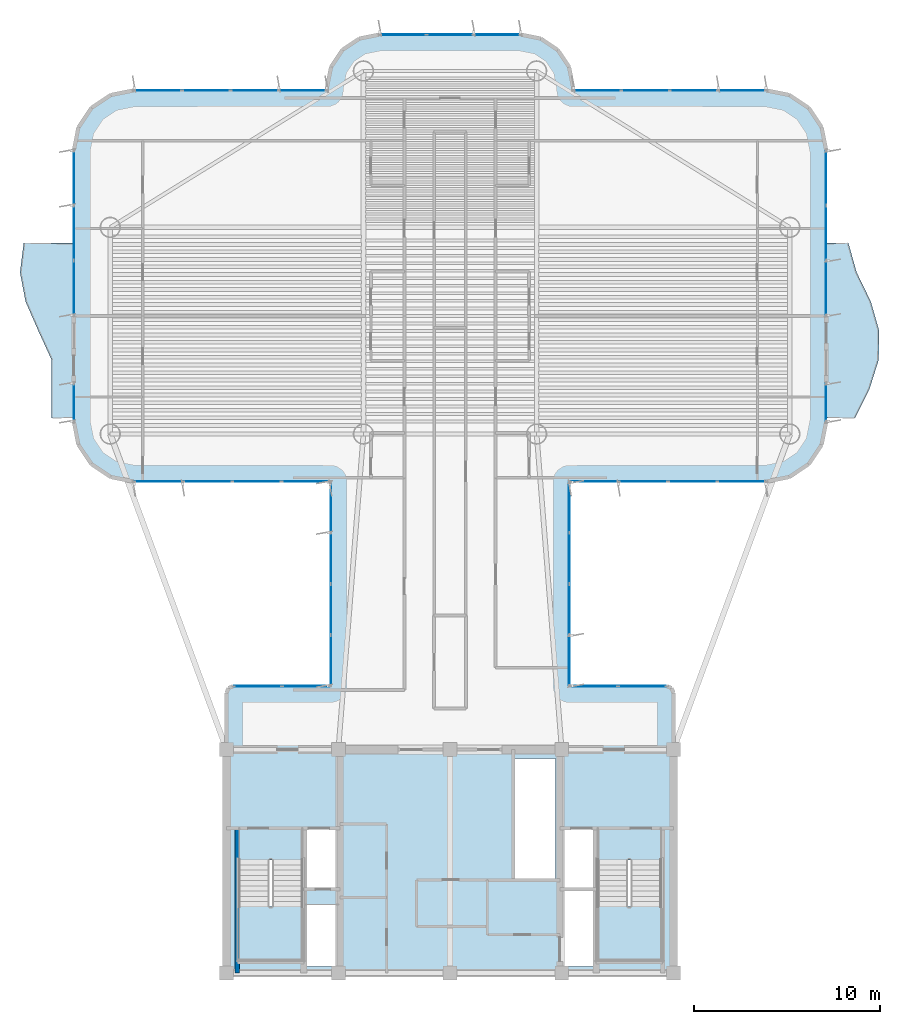
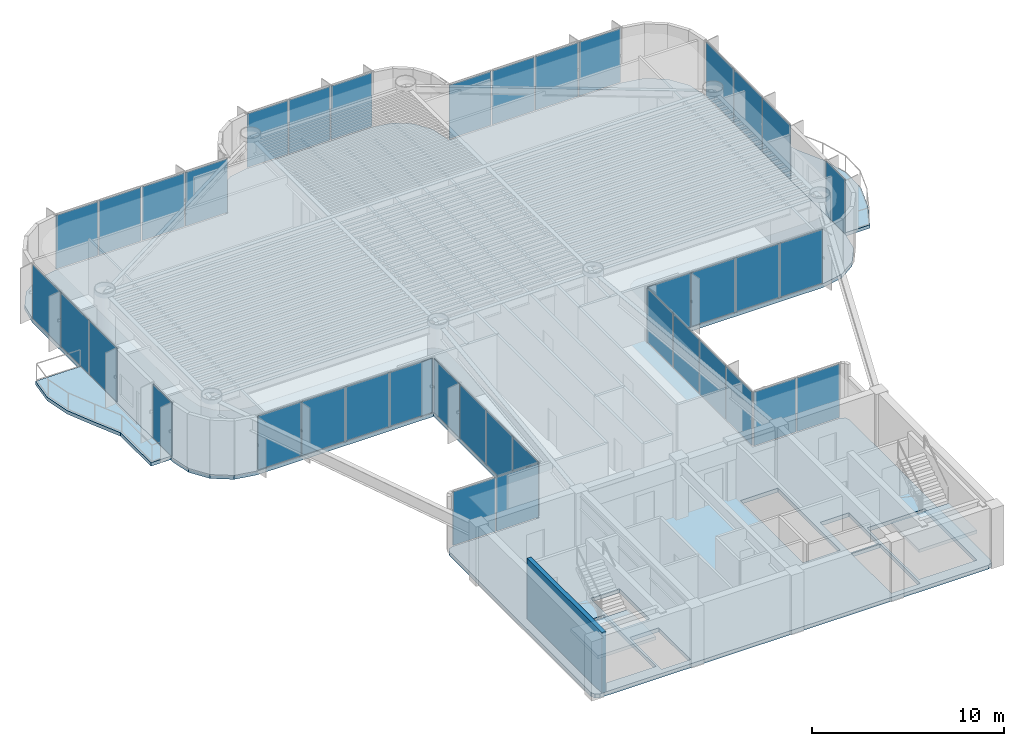
# One storey, part 8 of 15: 39 plates, 5 slabs, 1 wall, 15 elements without a shape of their own.
"""IFC4 building model written with IfcOpenShell, lengths in metres."""

from ifc_helpers import new_model, si_unit, direction, frame, frame_2d, origin, origin_2d, place, context, subcontext, project, spatial, polyline, rectangle, outline, extrude, source, transform, mapped, material, layer, layer_set, type_object, element, aggregate, save


model = new_model("IFC4")

# Units and contexts
model_context = context("Model", 3, precision=1e-05, world=origin(), true_north=direction((0.0, 1.0)))
body_context = subcontext(model_context, "Body", "Model", "MODEL_VIEW")
ifc_project = project(units=[si_unit("LENGTHUNIT", "METRE"), si_unit("AREAUNIT", "SQUARE_METRE"), si_unit("VOLUMEUNIT", "CUBIC_METRE"), si_unit("PLANEANGLEUNIT", "RADIAN"), si_unit("MASSUNIT", "GRAM", prefix="KILO")], contexts=[model_context])

# Site, building, storey
site_placement = place(None, origin())
site = spatial("IfcSite", under=ifc_project, at=site_placement, CompositionType="ELEMENT")
building_placement = place(site_placement, origin())
building = spatial("IfcBuilding", under=site, at=building_placement, Name="Brelvock Crest Care Tower", CompositionType="ELEMENT")
storey_placement = place(building_placement, frame((0.0, 0.0, 160.199951171875)))
storey = spatial("IfcBuildingStorey", under=building, at=storey_placement, Name="L40", CompositionType="ELEMENT", Elevation=160.199951171875)

# Slabs
ifc_material_1 = material(Name="Concrete N50 (50 MPa)", Category="concrete")
ifc_layer_1 = layer(ifc_material_1, 0.25, Name="SLB-FL3")
ifc_layer_set_1 = layer_set([ifc_layer_1], Name="Concrete N50 (50 MPa)")
slab_type_1 = type_object("IfcSlabType", Name="SLB-FL3", PredefinedType="FLOOR", material=ifc_layer_set_1)
slab_1_placement = place(storey_placement, frame((0.0, 0.0, -0.25)))
element("IfcSlab", 1, at=slab_1_placement, inside=storey, type_object=slab_type_1, Name="L40 Main Structural Slab", PredefinedType="FLOOR", context=body_context, shape_type="SweptSolid", body=[
    extrude(outline(polyline([(47.64990234375, 21.39990234375), (42.39990234375, 21.39990234375), (42.39990234375, 32.39990234375), (53.0, 32.39990234375), (54.224609375, 32.6435546875), (55.2626953125, 33.33740234375), (55.956298828125, 34.37548828125), (56.199951171875, 35.60009765625), (56.199951171875, 50.199951171875), (55.956298828125, 51.424560546875), (55.2626953125, 52.462646484375), (54.224609375, 53.156494140625), (53.0, 53.39990234375), (42.60009765625, 53.39990234375), (42.60009765625, 53.60009765625), (42.386962890625, 54.67138671875), (41.77978515625, 55.579833984375), (40.87158203125, 56.18701171875), (39.800048828125, 56.39990234375), (32.199951171875, 56.39990234375), (31.12841796875, 56.18701171875), (30.22021484375, 55.579833984375), (29.613037109375, 54.67138671875), (29.39990234375, 53.60009765625), (29.39990234375, 53.39990234375), (19.0, 53.39990234375), (17.775390625, 53.156494140625), (16.7373046875, 52.462646484375), (16.043701171875, 51.424560546875), (15.800048828125, 50.199951171875), (15.800048828125, 35.60009765625), (16.043701171875, 34.37548828125), (16.7373046875, 33.33740234375), (17.775390625, 32.6435546875), (19.0, 32.39990234375), (29.60009765625, 32.39990234375), (29.60009765625, 21.39990234375), (24.35009765625, 21.39990234375), (24.1025390625, 21.297607421875), (24.0, 21.050048828125), (24.0, 6.35009765625), (24.1025390625, 6.1025390625), (24.35009765625, 6.0), (47.64990234375, 6.0), (47.8974609375, 6.1025390625), (48.0, 6.35009765625), (48.0, 21.050048828125), (47.8974609375, 21.297607421875), (47.64990234375, 21.39990234375)]), holes=[polyline([(28.239990234375, 10.580078125), (29.97998046875, 10.580078125), (29.97998046875, 13.739990234375), (28.239990234375, 13.739990234375), (28.239990234375, 10.580078125)]), polyline([(42.02001953125, 10.580078125), (43.760009765625, 10.580078125), (43.760009765625, 13.739990234375), (42.02001953125, 13.739990234375), (42.02001953125, 10.580078125)]), polyline([(28.239990234375, 6.340087890625), (29.97998046875, 6.340087890625), (29.97998046875, 9.64990234375), (28.239990234375, 9.64990234375), (28.239990234375, 6.340087890625)]), polyline([(24.6298828125, 12.080078125), (24.6298828125, 6.699951171875), (28.110107421875, 6.699951171875), (28.110107421875, 12.080078125), (24.6298828125, 12.080078125)]), polyline([(43.889892578125, 12.080078125), (43.889892578125, 6.699951171875), (47.3701171875, 6.699951171875), (47.3701171875, 12.080078125), (43.889892578125, 12.080078125)]), polyline([(42.02001953125, 6.340087890625), (43.760009765625, 6.340087890625), (43.760009765625, 10.5), (42.02001953125, 10.5), (42.02001953125, 6.340087890625)]), polyline([(39.429931640625, 11.030029296875), (41.669921875, 11.030029296875), (41.669921875, 17.52001953125), (39.429931640625, 17.52001953125), (39.429931640625, 11.030029296875)])]), origin(), (0.0, 0.0, 1.0), 0.25),
])
ifc_layer_2 = layer(ifc_material_1, 0.219970703125, Name="SLB-WB1")
ifc_layer_set_2 = layer_set([ifc_layer_2], Name="Concrete N50 (50 MPa)")
slab_type_2 = type_object("IfcSlabType", Name="SLB-WB1", PredefinedType="FLOOR", material=ifc_layer_set_2)
slab_2_placement = place(storey_placement, frame((0.0, 0.0, -0.219970703125)))
element("IfcSlab", 2, at=slab_2_placement, inside=storey, type_object=slab_type_2, Name="L40 W Sinusoidal Wave Balcony Slab", PredefinedType="FLOOR", context=body_context, shape_type="SweptSolid", body=[
    extrude(outline(polyline([(15.800048828125, 45.199951171875), (13.098876953125, 45.199951171875), (12.90283203125, 43.63330078125), (13.200927734375, 42.066650390625), (13.883544921875, 40.5), (14.60009765625, 38.933349609375), (14.60009765625, 37.36669921875), (14.60009765625, 35.800048828125), (15.800048828125, 35.800048828125), (15.800048828125, 45.199951171875)])), origin(), (0.0, 0.0, 1.0), 0.219970703125),
])
slab_3_placement = place(storey_placement, frame((0.0, 0.0, -0.219970703125)))
element("IfcSlab", 3, at=slab_3_placement, inside=storey, type_object=slab_type_2, Name="L40 E Sinusoidal Wave Balcony Slab", PredefinedType="FLOOR", context=body_context, shape_type="SweptSolid", body=[
    extrude(outline(polyline([(56.199951171875, 35.800048828125), (57.75, 35.800048828125), (58.529052734375, 37.36669921875), (59.022705078125, 38.933349609375), (59.04931640625, 40.5), (58.599609375, 42.066650390625), (57.83837890625, 43.63330078125), (57.39990234375, 45.199951171875), (56.199951171875, 45.199951171875), (56.199951171875, 35.800048828125)])), origin(), (0.0, 0.0, 1.0), 0.219970703125),
])

# Stair, slab
ifc_material_2 = material(Name="Concrete N40 (40 MPa)", Category="concrete")
stair_type = type_object("IfcStairType", Name="ST-CORE1", PredefinedType="HALF_TURN_STAIR", material=ifc_material_2)
stair_1_placement = place(storey_placement, origin())
stair_1 = element("IfcStair", 4, at=stair_1_placement, inside=storey, type_object=stair_type, Name="L40 Fire-Isolated Core Stair ST-1", PredefinedType="HALF_TURN_STAIR")
ifc_layer_3 = layer(ifc_material_2, 0.199951171875, Name="STL-1")
ifc_layer_set_3 = layer_set([ifc_layer_3], Name="Concrete N40 (40 MPa)")
slab_type_3 = type_object("IfcSlabType", Name="STL-1", PredefinedType="LANDING", material=ifc_layer_set_3)
slab_4_placement = place(storey_placement, frame((0.0, 0.0, 1.68994140625)))
slab_4 = element("IfcSlab", 5, at=slab_4_placement, type_object=slab_type_3, Name="ST-1 landing 1", PredefinedType="LANDING", context=body_context, shape_type="SweptSolid", body=[
    extrude(outline(polyline([(24.6298828125, 9.56005859375), (24.6298828125, 6.699951171875), (28.110107421875, 6.699951171875), (28.110107421875, 9.56005859375), (24.6298828125, 9.56005859375)])), origin(), (0.0, 0.0, 1.0), 0.2001953125),
])
aggregate(stair_1, [slab_4])

stair_2_placement = place(storey_placement, origin())
stair_2 = element("IfcStair", 6, at=stair_2_placement, inside=storey, type_object=stair_type, Name="L40 Fire-Isolated Core Stair ST-2", PredefinedType="HALF_TURN_STAIR")
slab_5_placement = place(storey_placement, frame((0.0, 0.0, 1.68994140625)))
slab_5 = element("IfcSlab", 7, at=slab_5_placement, type_object=slab_type_3, Name="ST-2 landing 1", PredefinedType="LANDING", context=body_context, shape_type="SweptSolid", body=[
    extrude(outline(polyline([(43.889892578125, 9.56005859375), (43.889892578125, 6.699951171875), (47.3701171875, 6.699951171875), (47.3701171875, 9.56005859375), (43.889892578125, 9.56005859375)])), origin(), (0.0, 0.0, 1.0), 0.2001953125),
])
aggregate(stair_2, [slab_5])

# Curtain wall, plates
ifc_material_3 = material(Name="Dark Glass Double Glazed Low-E", Category="glass")
ifc_layer_4 = layer(ifc_material_3, 0.22509765625, Name="CWS-4")
ifc_layer_set_4 = layer_set([ifc_layer_4], Name="Dark Glass Double Glazed Low-E")
curtain_wall_type = type_object("IfcCurtainWallType", Name="CWS-4", PredefinedType="NOTDEFINED", material=ifc_layer_set_4)
curtain_wall_1_placement = place(storey_placement, origin())
curtain_wall_1 = element("IfcCurtainWall", 8, at=curtain_wall_1_placement, inside=storey, type_object=curtain_wall_type, Name="L40 Curtain Wall E10", PredefinedType="NOTDEFINED")
ifc_layer_5 = layer(ifc_material_3, 0.0380859375, Name="CWP-V2")
ifc_layer_set_5 = layer_set([ifc_layer_5], Name="Dark Glass Double Glazed Low-E")
plate_type = type_object("IfcPlateType", Name="CWP-V2", PredefinedType="CURTAIN_PANEL", material=ifc_layer_set_5)
shared_shape_1 = source(origin(), body_context, "Body", "SweptSolid", [
    extrude(rectangle(XDim=2.534912109375, YDim=0.035888671875, at=origin_2d()), origin(), (0.0, 0.0, 1.0), 3.409912109375),
])
plate_1_placement = place(storey_placement, frame((25.677490234375, 21.39990234375, 0.06005859375), z_axis=(0.0, 0.0, 1.0), x_axis=(1.0, 0.0, 0.0)))
plate_1 = element("IfcPlate", 9, at=plate_1_placement, type_object=plate_type, Name="CW-4 panel 1.1", PredefinedType="CURTAIN_PANEL", context=body_context, shape_type="MappedRepresentation", body=[
    mapped(shared_shape_1, transform((0.0, 0.0, 0.0), x_axis=(1.0, 0.0, 0.0), y_axis=(0.0, 1.0, 0.0), z_axis=(0.0, 0.0, 1.0), scale=1.0)),
])
plate_2_placement = place(storey_placement, frame((28.2724609375, 21.39990234375, 0.06005859375), z_axis=(0.0, 0.0, 1.0), x_axis=(1.0, 0.0, 0.0)))
plate_2 = element("IfcPlate", 10, at=plate_2_placement, type_object=plate_type, Name="CW-4 panel 2.1", PredefinedType="CURTAIN_PANEL", context=body_context, shape_type="MappedRepresentation", body=[
    mapped(shared_shape_1, transform((0.0, 0.0, 0.0), x_axis=(1.0, 0.0, 0.0), y_axis=(0.0, 1.0, 0.0), z_axis=(0.0, 0.0, 1.0), scale=1.0)),
])
aggregate(curtain_wall_1, [plate_1, plate_2])

curtain_wall_2_placement = place(storey_placement, origin())
curtain_wall_2 = element("IfcCurtainWall", 11, at=curtain_wall_2_placement, inside=storey, type_object=curtain_wall_type, Name="L40 Curtain Wall E46", PredefinedType="NOTDEFINED")
plate_3_placement = place(storey_placement, frame((43.7275390625, 21.39990234375, 0.06005859375), z_axis=(0.0, 0.0, 1.0), x_axis=(1.0, 0.0, 0.0)))
plate_3 = element("IfcPlate", 12, at=plate_3_placement, type_object=plate_type, Name="CW-4 panel 1.1", PredefinedType="CURTAIN_PANEL", context=body_context, shape_type="MappedRepresentation", body=[
    mapped(shared_shape_1, transform((0.0, 0.0, 0.0), x_axis=(1.0, 0.0, 0.0), y_axis=(0.0, 1.0, 0.0), z_axis=(0.0, 0.0, 1.0), scale=1.0)),
])
plate_4_placement = place(storey_placement, frame((46.322509765625, 21.39990234375, 0.06005859375), z_axis=(0.0, 0.0, 1.0), x_axis=(1.0, 0.0, 0.0)))
plate_4 = element("IfcPlate", 13, at=plate_4_placement, type_object=plate_type, Name="CW-4 panel 2.1", PredefinedType="CURTAIN_PANEL", context=body_context, shape_type="MappedRepresentation", body=[
    mapped(shared_shape_1, transform((0.0, 0.0, 0.0), x_axis=(1.0, 0.0, 0.0), y_axis=(0.0, 1.0, 0.0), z_axis=(0.0, 0.0, 1.0), scale=1.0)),
])
aggregate(curtain_wall_2, [plate_3, plate_4])

curtain_wall_3_placement = place(storey_placement, origin())
curtain_wall_3 = element("IfcCurtainWall", 14, at=curtain_wall_3_placement, inside=storey, type_object=curtain_wall_type, Name="L40 Curtain Wall E11", PredefinedType="NOTDEFINED")
shared_shape_2 = source(origin(), body_context, "Body", "SweptSolid", [
    extrude(rectangle(XDim=2.659912109375, YDim=0.035888671875, at=origin_2d()), origin(), (0.0, 0.0, 1.0), 3.409912109375),
])
plate_5_placement = place(storey_placement, frame((29.60009765625, 22.7900390625, 0.06005859375), z_axis=(0.0, 0.0, 1.0), x_axis=(0.0, 1.0, 0.0)))
plate_5 = element("IfcPlate", 15, at=plate_5_placement, type_object=plate_type, Name="CW-4 panel 1.1", PredefinedType="CURTAIN_PANEL", context=body_context, shape_type="MappedRepresentation", body=[
    mapped(shared_shape_2, transform((0.0, 0.0, 0.0), x_axis=(1.0, 0.0, 0.0), y_axis=(0.0, 1.0, 0.0), z_axis=(0.0, 0.0, 1.0), scale=1.0)),
])
plate_6_placement = place(storey_placement, frame((29.60009765625, 31.010009765625, 0.06005859375), z_axis=(0.0, 0.0, 1.0), x_axis=(0.0, 1.0, 0.0)))
plate_6 = element("IfcPlate", 16, at=plate_6_placement, type_object=plate_type, Name="CW-4 panel 4.1", PredefinedType="CURTAIN_PANEL", context=body_context, shape_type="MappedRepresentation", body=[
    mapped(shared_shape_2, transform((0.0, 0.0, 0.0), x_axis=(1.0, 0.0, 0.0), y_axis=(0.0, 1.0, 0.0), z_axis=(0.0, 0.0, 1.0), scale=1.0)),
])

curtain_wall_4_placement = place(storey_placement, origin())
curtain_wall_4 = element("IfcCurtainWall", 17, at=curtain_wall_4_placement, inside=storey, type_object=curtain_wall_type, Name="L40 Curtain Wall E45", PredefinedType="NOTDEFINED")
plate_7_placement = place(storey_placement, frame((42.39990234375, 31.010009765625, 0.06005859375), z_axis=(0.0, 0.0, 1.0), x_axis=(0.0, -1.0, 0.0)))
plate_7 = element("IfcPlate", 18, at=plate_7_placement, type_object=plate_type, Name="CW-4 panel 1.1", PredefinedType="CURTAIN_PANEL", context=body_context, shape_type="MappedRepresentation", body=[
    mapped(shared_shape_2, transform((0.0, 0.0, 0.0), x_axis=(1.0, 0.0, 0.0), y_axis=(0.0, 1.0, 0.0), z_axis=(0.0, 0.0, 1.0), scale=1.0)),
])
plate_8_placement = place(storey_placement, frame((42.39990234375, 22.7900390625, 0.06005859375), z_axis=(0.0, 0.0, 1.0), x_axis=(0.0, -1.0, 0.0)))
plate_8 = element("IfcPlate", 19, at=plate_8_placement, type_object=plate_type, Name="CW-4 panel 4.1", PredefinedType="CURTAIN_PANEL", context=body_context, shape_type="MappedRepresentation", body=[
    mapped(shared_shape_2, transform((0.0, 0.0, 0.0), x_axis=(1.0, 0.0, 0.0), y_axis=(0.0, 1.0, 0.0), z_axis=(0.0, 0.0, 1.0), scale=1.0)),
])

# Plate
shared_shape_3 = source(origin(), body_context, "Body", "SweptSolid", [
    extrude(rectangle(XDim=2.68994140625, YDim=0.035888671875, at=origin_2d()), origin(), (0.0, 0.0, 1.0), 3.409912109375),
])
plate_9_placement = place(storey_placement, frame((29.60009765625, 25.52490234375, 0.06005859375), z_axis=(0.0, 0.0, 1.0), x_axis=(0.0, 1.0, 0.0)))
plate_9 = element("IfcPlate", 20, at=plate_9_placement, type_object=plate_type, Name="CW-4 panel 2.1", PredefinedType="CURTAIN_PANEL", context=body_context, shape_type="MappedRepresentation", body=[
    mapped(shared_shape_3, transform((0.0, 0.0, 0.0), x_axis=(1.0, 0.0, 0.0), y_axis=(0.0, 1.0, 0.0), z_axis=(0.0, 0.0, 1.0), scale=1.0)),
])

plate_10_placement = place(storey_placement, frame((29.60009765625, 28.27490234375, 0.06005859375), z_axis=(0.0, 0.0, 1.0), x_axis=(0.0, 1.0, 0.0)))
plate_10 = element("IfcPlate", 21, at=plate_10_placement, type_object=plate_type, Name="CW-4 panel 3.1", PredefinedType="CURTAIN_PANEL", context=body_context, shape_type="MappedRepresentation", body=[
    mapped(shared_shape_3, transform((0.0, 0.0, 0.0), x_axis=(1.0, 0.0, 0.0), y_axis=(0.0, 1.0, 0.0), z_axis=(0.0, 0.0, 1.0), scale=1.0)),
])

aggregate(curtain_wall_3, [plate_5, plate_9, plate_10, plate_6])

plate_11_placement = place(storey_placement, frame((42.39990234375, 28.27490234375, 0.06005859375), z_axis=(0.0, 0.0, 1.0), x_axis=(0.0, -1.0, 0.0)))
plate_11 = element("IfcPlate", 22, at=plate_11_placement, type_object=plate_type, Name="CW-4 panel 2.1", PredefinedType="CURTAIN_PANEL", context=body_context, shape_type="MappedRepresentation", body=[
    mapped(shared_shape_3, transform((0.0, 0.0, 0.0), x_axis=(1.0, 0.0, 0.0), y_axis=(0.0, 1.0, 0.0), z_axis=(0.0, 0.0, 1.0), scale=1.0)),
])

plate_12_placement = place(storey_placement, frame((42.39990234375, 25.52490234375, 0.06005859375), z_axis=(0.0, 0.0, 1.0), x_axis=(0.0, -1.0, 0.0)))
plate_12 = element("IfcPlate", 23, at=plate_12_placement, type_object=plate_type, Name="CW-4 panel 3.1", PredefinedType="CURTAIN_PANEL", context=body_context, shape_type="MappedRepresentation", body=[
    mapped(shared_shape_3, transform((0.0, 0.0, 0.0), x_axis=(1.0, 0.0, 0.0), y_axis=(0.0, 1.0, 0.0), z_axis=(0.0, 0.0, 1.0), scale=1.0)),
])

aggregate(curtain_wall_4, [plate_7, plate_11, plate_12, plate_8])

# Curtain wall, plates
curtain_wall_5_placement = place(storey_placement, origin())
curtain_wall_5 = element("IfcCurtainWall", 24, at=curtain_wall_5_placement, inside=storey, type_object=curtain_wall_type, Name="L40 Curtain Wall E12", PredefinedType="NOTDEFINED")
shared_shape_4 = source(origin(), body_context, "Body", "SweptSolid", [
    extrude(rectangle(XDim=2.56005859375, YDim=0.035888671875, at=origin_2d()), origin(), (0.0, 0.0, 1.0), 3.409912109375),
])
plate_13_placement = place(storey_placement, frame((28.260009765625, 32.39990234375, 0.06005859375), z_axis=(0.0, 0.0, 1.0), x_axis=(-1.0, 0.0, 0.0)))
plate_13 = element("IfcPlate", 25, at=plate_13_placement, type_object=plate_type, Name="CW-4 panel 1.1", PredefinedType="CURTAIN_PANEL", context=body_context, shape_type="MappedRepresentation", body=[
    mapped(shared_shape_4, transform((0.0, 0.0, 0.0), x_axis=(1.0, 0.0, 0.0), y_axis=(0.0, 1.0, 0.0), z_axis=(0.0, 0.0, 1.0), scale=1.0)),
])
plate_14_placement = place(storey_placement, frame((20.340087890625, 32.39990234375, 0.06005859375), z_axis=(0.0, 0.0, 1.0), x_axis=(-1.0, 0.0, 0.0)))
plate_14 = element("IfcPlate", 26, at=plate_14_placement, type_object=plate_type, Name="CW-4 panel 4.1", PredefinedType="CURTAIN_PANEL", context=body_context, shape_type="MappedRepresentation", body=[
    mapped(shared_shape_4, transform((0.0, 0.0, 0.0), x_axis=(1.0, 0.0, 0.0), y_axis=(0.0, 1.0, 0.0), z_axis=(0.0, 0.0, 1.0), scale=1.0)),
])

curtain_wall_6_placement = place(storey_placement, origin())
curtain_wall_6 = element("IfcCurtainWall", 27, at=curtain_wall_6_placement, inside=storey, type_object=curtain_wall_type, Name="L40 Curtain Wall E44", PredefinedType="NOTDEFINED")
plate_15_placement = place(storey_placement, frame((51.659912109375, 32.39990234375, 0.06005859375), z_axis=(0.0, 0.0, 1.0), x_axis=(-1.0, 0.0, 0.0)))
plate_15 = element("IfcPlate", 28, at=plate_15_placement, type_object=plate_type, Name="CW-4 panel 1.1", PredefinedType="CURTAIN_PANEL", context=body_context, shape_type="MappedRepresentation", body=[
    mapped(shared_shape_4, transform((0.0, 0.0, 0.0), x_axis=(1.0, 0.0, 0.0), y_axis=(0.0, 1.0, 0.0), z_axis=(0.0, 0.0, 1.0), scale=1.0)),
])
plate_16_placement = place(storey_placement, frame((43.739990234375, 32.39990234375, 0.06005859375), z_axis=(0.0, 0.0, 1.0), x_axis=(-1.0, 0.0, 0.0)))
plate_16 = element("IfcPlate", 29, at=plate_16_placement, type_object=plate_type, Name="CW-4 panel 4.1", PredefinedType="CURTAIN_PANEL", context=body_context, shape_type="MappedRepresentation", body=[
    mapped(shared_shape_4, transform((0.0, 0.0, 0.0), x_axis=(1.0, 0.0, 0.0), y_axis=(0.0, 1.0, 0.0), z_axis=(0.0, 0.0, 1.0), scale=1.0)),
])

# Plate
shared_shape_5 = source(origin(), body_context, "Body", "SweptSolid", [
    extrude(rectangle(XDim=2.590087890625, YDim=0.035888671875, at=origin_2d()), origin(), (0.0, 0.0, 1.0), 3.409912109375),
])
plate_17_placement = place(storey_placement, frame((25.625, 32.39990234375, 0.06005859375), z_axis=(0.0, 0.0, 1.0), x_axis=(-1.0, 0.0, 0.0)))
plate_17 = element("IfcPlate", 30, at=plate_17_placement, type_object=plate_type, Name="CW-4 panel 2.1", PredefinedType="CURTAIN_PANEL", context=body_context, shape_type="MappedRepresentation", body=[
    mapped(shared_shape_5, transform((0.0, 0.0, 0.0), x_axis=(1.0, 0.0, 0.0), y_axis=(0.0, 1.0, 0.0), z_axis=(0.0, 0.0, 1.0), scale=1.0)),
])

plate_18_placement = place(storey_placement, frame((22.97509765625, 32.39990234375, 0.06005859375), z_axis=(0.0, 0.0, 1.0), x_axis=(-1.0, 0.0, 0.0)))
plate_18 = element("IfcPlate", 31, at=plate_18_placement, type_object=plate_type, Name="CW-4 panel 3.1", PredefinedType="CURTAIN_PANEL", context=body_context, shape_type="MappedRepresentation", body=[
    mapped(shared_shape_5, transform((0.0, 0.0, 0.0), x_axis=(1.0, 0.0, 0.0), y_axis=(0.0, 1.0, 0.0), z_axis=(0.0, 0.0, 1.0), scale=1.0)),
])

aggregate(curtain_wall_5, [plate_13, plate_17, plate_18, plate_14])

plate_19_placement = place(storey_placement, frame((49.02490234375, 32.39990234375, 0.06005859375), z_axis=(0.0, 0.0, 1.0), x_axis=(-1.0, 0.0, 0.0)))
plate_19 = element("IfcPlate", 32, at=plate_19_placement, type_object=plate_type, Name="CW-4 panel 2.1", PredefinedType="CURTAIN_PANEL", context=body_context, shape_type="MappedRepresentation", body=[
    mapped(shared_shape_5, transform((0.0, 0.0, 0.0), x_axis=(1.0, 0.0, 0.0), y_axis=(0.0, 1.0, 0.0), z_axis=(0.0, 0.0, 1.0), scale=1.0)),
])

plate_20_placement = place(storey_placement, frame((46.375, 32.39990234375, 0.06005859375), z_axis=(0.0, 0.0, 1.0), x_axis=(-1.0, 0.0, 0.0)))
plate_20 = element("IfcPlate", 33, at=plate_20_placement, type_object=plate_type, Name="CW-4 panel 3.1", PredefinedType="CURTAIN_PANEL", context=body_context, shape_type="MappedRepresentation", body=[
    mapped(shared_shape_5, transform((0.0, 0.0, 0.0), x_axis=(1.0, 0.0, 0.0), y_axis=(0.0, 1.0, 0.0), z_axis=(0.0, 0.0, 1.0), scale=1.0)),
])

aggregate(curtain_wall_6, [plate_15, plate_19, plate_20, plate_16])

# Curtain wall, plate
curtain_wall_7_placement = place(storey_placement, origin())
curtain_wall_7 = element("IfcCurtainWall", 34, at=curtain_wall_7_placement, inside=storey, type_object=curtain_wall_type, Name="L40 Curtain Wall E17A", PredefinedType="NOTDEFINED")
shared_shape_6 = source(origin(), body_context, "Body", "SweptSolid", [
    extrude(rectangle(XDim=1.97998046875, YDim=0.035888671875, at=origin_2d()), origin(), (0.0, 0.0, 1.0), 3.409912109375),
])
plate_21_placement = place(storey_placement, frame((15.800048828125, 36.64990234375, 0.06005859375), z_axis=(0.0, 0.0, 1.0), x_axis=(0.0, 1.0, 0.0)))
plate_21 = element("IfcPlate", 35, at=plate_21_placement, type_object=plate_type, Name="CW-4 panel 1.1", PredefinedType="CURTAIN_PANEL", context=body_context, shape_type="MappedRepresentation", body=[
    mapped(shared_shape_6, transform((0.0, 0.0, 0.0), x_axis=(1.0, 0.0, 0.0), y_axis=(0.0, 1.0, 0.0), z_axis=(0.0, 0.0, 1.0), scale=1.0)),
])
aggregate(curtain_wall_7, [plate_21])

curtain_wall_8_placement = place(storey_placement, origin())
curtain_wall_8 = element("IfcCurtainWall", 36, at=curtain_wall_8_placement, inside=storey, type_object=curtain_wall_type, Name="L40 Curtain Wall E39B", PredefinedType="NOTDEFINED")
plate_22_placement = place(storey_placement, frame((56.199951171875, 36.64990234375, 0.06005859375), z_axis=(0.0, 0.0, 1.0), x_axis=(0.0, -1.0, 0.0)))
plate_22 = element("IfcPlate", 37, at=plate_22_placement, type_object=plate_type, Name="CW-4 panel 1.1", PredefinedType="CURTAIN_PANEL", context=body_context, shape_type="MappedRepresentation", body=[
    mapped(shared_shape_6, transform((0.0, 0.0, 0.0), x_axis=(1.0, 0.0, 0.0), y_axis=(0.0, 1.0, 0.0), z_axis=(0.0, 0.0, 1.0), scale=1.0)),
])
aggregate(curtain_wall_8, [plate_22])

# Curtain wall, plates
curtain_wall_9_placement = place(storey_placement, origin())
curtain_wall_9 = element("IfcCurtainWall", 38, at=curtain_wall_9_placement, inside=storey, type_object=curtain_wall_type, Name="L40 Curtain Wall E17B", PredefinedType="NOTDEFINED")
shared_shape_7 = source(origin(), body_context, "Body", "SweptSolid", [
    extrude(rectangle(XDim=2.876708984375, YDim=0.035888671875, at=origin_2d()), origin(), (0.0, 0.0, 1.0), 3.409912109375),
])
plate_23_placement = place(storey_placement, frame((15.800048828125, 42.79833984375, 0.06005859375), z_axis=(0.0, 0.0, 1.0), x_axis=(0.0, 1.0, 0.0)))
plate_23 = element("IfcPlate", 39, at=plate_23_placement, type_object=plate_type, Name="CW-4 panel 1.1", PredefinedType="CURTAIN_PANEL", context=body_context, shape_type="MappedRepresentation", body=[
    mapped(shared_shape_7, transform((0.0, 0.0, 0.0), x_axis=(1.0, 0.0, 0.0), y_axis=(0.0, 1.0, 0.0), z_axis=(0.0, 0.0, 1.0), scale=1.0)),
])
plate_24_placement = place(storey_placement, frame((15.800048828125, 48.70166015625, 0.06005859375), z_axis=(0.0, 0.0, 1.0), x_axis=(0.0, 1.0, 0.0)))
plate_24 = element("IfcPlate", 40, at=plate_24_placement, type_object=plate_type, Name="CW-4 panel 3.1", PredefinedType="CURTAIN_PANEL", context=body_context, shape_type="MappedRepresentation", body=[
    mapped(shared_shape_7, transform((0.0, 0.0, 0.0), x_axis=(1.0, 0.0, 0.0), y_axis=(0.0, 1.0, 0.0), z_axis=(0.0, 0.0, 1.0), scale=1.0)),
])

curtain_wall_10_placement = place(storey_placement, origin())
curtain_wall_10 = element("IfcCurtainWall", 41, at=curtain_wall_10_placement, inside=storey, type_object=curtain_wall_type, Name="L40 Curtain Wall E39A", PredefinedType="NOTDEFINED")
plate_25_placement = place(storey_placement, frame((56.199951171875, 48.70166015625, 0.06005859375), z_axis=(0.0, 0.0, 1.0), x_axis=(0.0, -1.0, 0.0)))
plate_25 = element("IfcPlate", 42, at=plate_25_placement, type_object=plate_type, Name="CW-4 panel 1.1", PredefinedType="CURTAIN_PANEL", context=body_context, shape_type="MappedRepresentation", body=[
    mapped(shared_shape_7, transform((0.0, 0.0, 0.0), x_axis=(1.0, 0.0, 0.0), y_axis=(0.0, 1.0, 0.0), z_axis=(0.0, 0.0, 1.0), scale=1.0)),
])
plate_26_placement = place(storey_placement, frame((56.199951171875, 42.79833984375, 0.06005859375), z_axis=(0.0, 0.0, 1.0), x_axis=(0.0, -1.0, 0.0)))
plate_26 = element("IfcPlate", 43, at=plate_26_placement, type_object=plate_type, Name="CW-4 panel 3.1", PredefinedType="CURTAIN_PANEL", context=body_context, shape_type="MappedRepresentation", body=[
    mapped(shared_shape_7, transform((0.0, 0.0, 0.0), x_axis=(1.0, 0.0, 0.0), y_axis=(0.0, 1.0, 0.0), z_axis=(0.0, 0.0, 1.0), scale=1.0)),
])

# Plate
shared_shape_8 = source(origin(), body_context, "Body", "SweptSolid", [
    extrude(rectangle(XDim=2.90673828125, YDim=0.035888671875, at=origin_2d()), origin(), (0.0, 0.0, 1.0), 3.409912109375),
])
plate_27_placement = place(storey_placement, frame((15.800048828125, 45.75, 0.06005859375), z_axis=(0.0, 0.0, 1.0), x_axis=(0.0, 1.0, 0.0)))
plate_27 = element("IfcPlate", 44, at=plate_27_placement, type_object=plate_type, Name="CW-4 panel 2.1", PredefinedType="CURTAIN_PANEL", context=body_context, shape_type="MappedRepresentation", body=[
    mapped(shared_shape_8, transform((0.0, 0.0, 0.0), x_axis=(1.0, 0.0, 0.0), y_axis=(0.0, 1.0, 0.0), z_axis=(0.0, 0.0, 1.0), scale=1.0)),
])

aggregate(curtain_wall_9, [plate_23, plate_27, plate_24])

plate_28_placement = place(storey_placement, frame((56.199951171875, 45.75, 0.06005859375), z_axis=(0.0, 0.0, 1.0), x_axis=(0.0, -1.0, 0.0)))
plate_28 = element("IfcPlate", 45, at=plate_28_placement, type_object=plate_type, Name="CW-4 panel 2.1", PredefinedType="CURTAIN_PANEL", context=body_context, shape_type="MappedRepresentation", body=[
    mapped(shared_shape_8, transform((0.0, 0.0, 0.0), x_axis=(1.0, 0.0, 0.0), y_axis=(0.0, 1.0, 0.0), z_axis=(0.0, 0.0, 1.0), scale=1.0)),
])

aggregate(curtain_wall_10, [plate_25, plate_28, plate_26])

# Curtain wall, plates
curtain_wall_11_placement = place(storey_placement, origin())
curtain_wall_11 = element("IfcCurtainWall", 46, at=curtain_wall_11_placement, inside=storey, type_object=curtain_wall_type, Name="L40 Curtain Wall E22", PredefinedType="NOTDEFINED")
shared_shape_9 = source(origin(), body_context, "Body", "SweptSolid", [
    extrude(rectangle(XDim=2.510009765625, YDim=0.035888671875, at=origin_2d()), origin(), (0.0, 0.0, 1.0), 3.409912109375),
])
plate_29_placement = place(storey_placement, frame((20.31494140625, 53.39990234375, 0.06005859375), z_axis=(0.0, 0.0, 1.0), x_axis=(1.0, 0.0, 0.0)))
plate_29 = element("IfcPlate", 47, at=plate_29_placement, type_object=plate_type, Name="CW-4 panel 1.1", PredefinedType="CURTAIN_PANEL", context=body_context, shape_type="MappedRepresentation", body=[
    mapped(shared_shape_9, transform((0.0, 0.0, 0.0), x_axis=(1.0, 0.0, 0.0), y_axis=(0.0, 1.0, 0.0), z_axis=(0.0, 0.0, 1.0), scale=1.0)),
])
plate_30_placement = place(storey_placement, frame((28.0849609375, 53.39990234375, 0.06005859375), z_axis=(0.0, 0.0, 1.0), x_axis=(1.0, 0.0, 0.0)))
plate_30 = element("IfcPlate", 48, at=plate_30_placement, type_object=plate_type, Name="CW-4 panel 4.1", PredefinedType="CURTAIN_PANEL", context=body_context, shape_type="MappedRepresentation", body=[
    mapped(shared_shape_9, transform((0.0, 0.0, 0.0), x_axis=(1.0, 0.0, 0.0), y_axis=(0.0, 1.0, 0.0), z_axis=(0.0, 0.0, 1.0), scale=1.0)),
])

curtain_wall_12_placement = place(storey_placement, origin())
curtain_wall_12 = element("IfcCurtainWall", 49, at=curtain_wall_12_placement, inside=storey, type_object=curtain_wall_type, Name="L40 Curtain Wall E34", PredefinedType="NOTDEFINED")
plate_31_placement = place(storey_placement, frame((43.9150390625, 53.39990234375, 0.06005859375), z_axis=(0.0, 0.0, 1.0), x_axis=(1.0, 0.0, 0.0)))
plate_31 = element("IfcPlate", 50, at=plate_31_placement, type_object=plate_type, Name="CW-4 panel 1.1", PredefinedType="CURTAIN_PANEL", context=body_context, shape_type="MappedRepresentation", body=[
    mapped(shared_shape_9, transform((0.0, 0.0, 0.0), x_axis=(1.0, 0.0, 0.0), y_axis=(0.0, 1.0, 0.0), z_axis=(0.0, 0.0, 1.0), scale=1.0)),
])
plate_32_placement = place(storey_placement, frame((51.68505859375, 53.39990234375, 0.06005859375), z_axis=(0.0, 0.0, 1.0), x_axis=(1.0, 0.0, 0.0)))
plate_32 = element("IfcPlate", 51, at=plate_32_placement, type_object=plate_type, Name="CW-4 panel 4.1", PredefinedType="CURTAIN_PANEL", context=body_context, shape_type="MappedRepresentation", body=[
    mapped(shared_shape_9, transform((0.0, 0.0, 0.0), x_axis=(1.0, 0.0, 0.0), y_axis=(0.0, 1.0, 0.0), z_axis=(0.0, 0.0, 1.0), scale=1.0)),
])

# Plate
shared_shape_10 = source(origin(), body_context, "Body", "SweptSolid", [
    extrude(rectangle(XDim=2.5400390625, YDim=0.035888671875, at=origin_2d()), origin(), (0.0, 0.0, 1.0), 3.409912109375),
])
plate_33_placement = place(storey_placement, frame((22.89990234375, 53.39990234375, 0.06005859375), z_axis=(0.0, 0.0, 1.0), x_axis=(1.0, 0.0, 0.0)))
plate_33 = element("IfcPlate", 52, at=plate_33_placement, type_object=plate_type, Name="CW-4 panel 2.1", PredefinedType="CURTAIN_PANEL", context=body_context, shape_type="MappedRepresentation", body=[
    mapped(shared_shape_10, transform((0.0, 0.0, 0.0), x_axis=(1.0, 0.0, 0.0), y_axis=(0.0, 1.0, 0.0), z_axis=(0.0, 0.0, 1.0), scale=1.0)),
])

plate_34_placement = place(storey_placement, frame((25.5, 53.39990234375, 0.06005859375), z_axis=(0.0, 0.0, 1.0), x_axis=(1.0, 0.0, 0.0)))
plate_34 = element("IfcPlate", 53, at=plate_34_placement, type_object=plate_type, Name="CW-4 panel 3.1", PredefinedType="CURTAIN_PANEL", context=body_context, shape_type="MappedRepresentation", body=[
    mapped(shared_shape_10, transform((0.0, 0.0, 0.0), x_axis=(1.0, 0.0, 0.0), y_axis=(0.0, 1.0, 0.0), z_axis=(0.0, 0.0, 1.0), scale=1.0)),
])

aggregate(curtain_wall_11, [plate_29, plate_33, plate_34, plate_30])

plate_35_placement = place(storey_placement, frame((46.5, 53.39990234375, 0.06005859375), z_axis=(0.0, 0.0, 1.0), x_axis=(1.0, 0.0, 0.0)))
plate_35 = element("IfcPlate", 54, at=plate_35_placement, type_object=plate_type, Name="CW-4 panel 2.1", PredefinedType="CURTAIN_PANEL", context=body_context, shape_type="MappedRepresentation", body=[
    mapped(shared_shape_10, transform((0.0, 0.0, 0.0), x_axis=(1.0, 0.0, 0.0), y_axis=(0.0, 1.0, 0.0), z_axis=(0.0, 0.0, 1.0), scale=1.0)),
])

plate_36_placement = place(storey_placement, frame((49.10009765625, 53.39990234375, 0.06005859375), z_axis=(0.0, 0.0, 1.0), x_axis=(1.0, 0.0, 0.0)))
plate_36 = element("IfcPlate", 55, at=plate_36_placement, type_object=plate_type, Name="CW-4 panel 3.1", PredefinedType="CURTAIN_PANEL", context=body_context, shape_type="MappedRepresentation", body=[
    mapped(shared_shape_10, transform((0.0, 0.0, 0.0), x_axis=(1.0, 0.0, 0.0), y_axis=(0.0, 1.0, 0.0), z_axis=(0.0, 0.0, 1.0), scale=1.0)),
])

aggregate(curtain_wall_12, [plate_31, plate_35, plate_36, plate_32])

# Curtain wall, plates
curtain_wall_13_placement = place(storey_placement, origin())
curtain_wall_13 = element("IfcCurtainWall", 56, at=curtain_wall_13_placement, inside=storey, type_object=curtain_wall_type, Name="L40 Curtain Wall E28", PredefinedType="NOTDEFINED")
shared_shape_11 = source(origin(), body_context, "Body", "SweptSolid", [
    extrude(rectangle(XDim=2.443359375, YDim=0.035888671875, at=origin_2d()), origin(), (0.0, 0.0, 1.0), 3.409912109375),
])
plate_37_placement = place(storey_placement, frame((33.481689453125, 56.39990234375, 0.06005859375), z_axis=(0.0, 0.0, 1.0), x_axis=(1.0, 0.0, 0.0)))
plate_37 = element("IfcPlate", 57, at=plate_37_placement, type_object=plate_type, Name="CW-4 panel 1.1", PredefinedType="CURTAIN_PANEL", context=body_context, shape_type="MappedRepresentation", body=[
    mapped(shared_shape_11, transform((0.0, 0.0, 0.0), x_axis=(1.0, 0.0, 0.0), y_axis=(0.0, 1.0, 0.0), z_axis=(0.0, 0.0, 1.0), scale=1.0)),
])
plate_38_placement = place(storey_placement, frame((38.518310546875, 56.39990234375, 0.06005859375), z_axis=(0.0, 0.0, 1.0), x_axis=(1.0, 0.0, 0.0)))
plate_38 = element("IfcPlate", 58, at=plate_38_placement, type_object=plate_type, Name="CW-4 panel 3.1", PredefinedType="CURTAIN_PANEL", context=body_context, shape_type="MappedRepresentation", body=[
    mapped(shared_shape_11, transform((0.0, 0.0, 0.0), x_axis=(1.0, 0.0, 0.0), y_axis=(0.0, 1.0, 0.0), z_axis=(0.0, 0.0, 1.0), scale=1.0)),
])
shared_shape_12 = source(origin(), body_context, "Body", "SweptSolid", [
    extrude(rectangle(XDim=2.473388671875, YDim=0.035888671875, at=origin_2d()), origin(), (0.0, 0.0, 1.0), 3.409912109375),
])
plate_39_placement = place(storey_placement, frame((36.0, 56.39990234375, 0.06005859375), z_axis=(0.0, 0.0, 1.0), x_axis=(1.0, 0.0, 0.0)))
plate_39 = element("IfcPlate", 59, at=plate_39_placement, type_object=plate_type, Name="CW-4 panel 2.1", PredefinedType="CURTAIN_PANEL", context=body_context, shape_type="MappedRepresentation", body=[
    mapped(shared_shape_12, transform((0.0, 0.0, 0.0), x_axis=(1.0, 0.0, 0.0), y_axis=(0.0, 1.0, 0.0), z_axis=(0.0, 0.0, 1.0), scale=1.0)),
])
aggregate(curtain_wall_13, [plate_37, plate_39, plate_38])

# Wall
ifc_material_4 = material(Name="Concrete S80 (80 MPa)", Category="concrete")
ifc_layer_6 = layer(ifc_material_4, 0.25, Name="WL-CS6")
ifc_layer_set_6 = layer_set([ifc_layer_6], Name="Concrete S80 (80 MPa)")
wall_type = type_object("IfcWallType", Name="WL-CS6", PredefinedType="SHEAR", material=ifc_layer_set_6)
wall_placement = place(storey_placement, frame((24.580078125, 6.0, 0.0), z_axis=(0.0, 0.0, 1.0), x_axis=(0.0, 1.0, 0.0)))
element("IfcWall", 60, at=wall_placement, inside=storey, type_object=wall_type, Name="L40 Core Stair ST-1 West Shear Wall", PredefinedType="SHEAR", context=body_context, shape_type="SweptSolid", body=[
    extrude(rectangle(XDim=7.780029296875, YDim=0.25, at=frame_2d((3.89013671875, 0.0))), origin(), (0.0, 0.0, 1.0), 3.85009765625),
])

save(model, "model.ifc")
